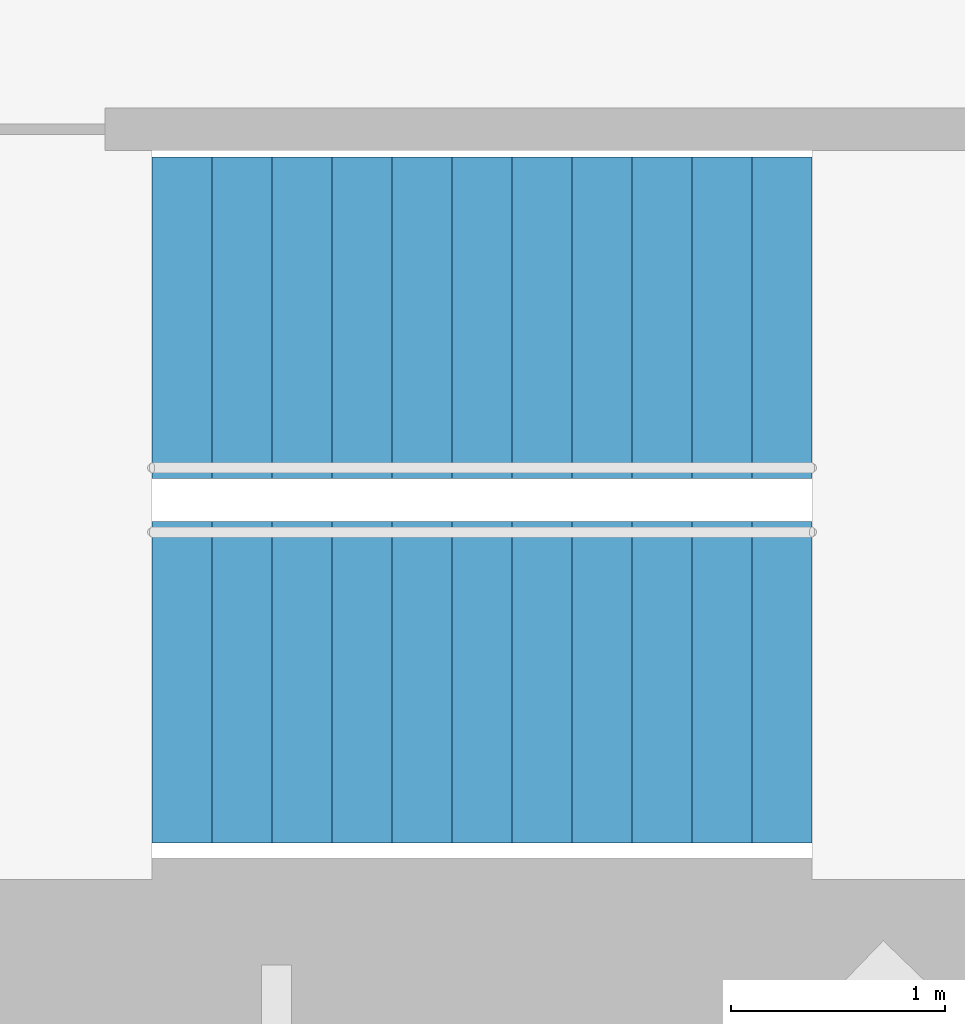
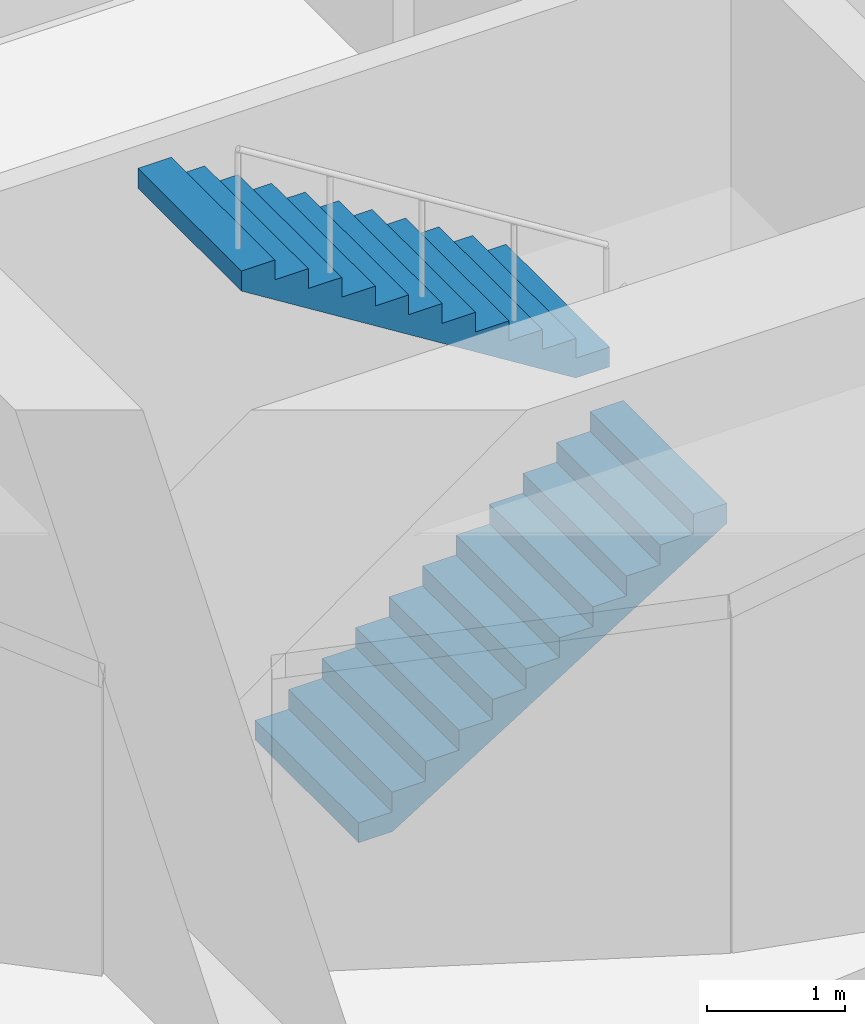
# One storey, part 15 of 17: 2 stair flights, 1 element without a shape of its own.
"""IFC4 building model written with IfcOpenShell, lengths in metres."""

from ifc_helpers import new_model, si_unit, direction, frame, origin, place, context, subcontext, project, spatial, triangles, material, type_object, element, aggregate, save


model = new_model("IFC4")

# Units and contexts
model_context = context("Model", 3, precision=1e-05, world=origin(), true_north=direction((0.0, 1.0)))
body_context = subcontext(model_context, "Body", "Model", "MODEL_VIEW")
ifc_project = project(units=[si_unit("LENGTHUNIT", "METRE"), si_unit("AREAUNIT", "SQUARE_METRE"), si_unit("VOLUMEUNIT", "CUBIC_METRE"), si_unit("PLANEANGLEUNIT", "RADIAN"), si_unit("MASSUNIT", "GRAM", prefix="KILO")], contexts=[model_context])

# Site, building, storey
site_placement = place(None, origin())
site = spatial("IfcSite", under=ifc_project, at=site_placement, CompositionType="ELEMENT")
building_placement = place(site_placement, origin())
building = spatial("IfcBuilding", under=site, at=building_placement, Name="Lantaw Convention Tower", CompositionType="ELEMENT")
storey_placement = place(building_placement, frame((0.0, 0.0, 207.39990234375)))
storey = spatial("IfcBuildingStorey", under=building, at=storey_placement, Name="L48", CompositionType="ELEMENT", Elevation=207.39990234375)

# Stair, stair flights
ifc_material = material(Name="Concrete C35/45", Category="concrete")
stair_type = type_object("IfcStairType", Name="Exit stair 1500 riser 175 in 2 flights", PredefinedType="HALF_TURN_STAIR", material=ifc_material)
stair_placement = place(storey_placement, origin())
stair = element("IfcStair", 1, at=stair_placement, inside=storey, type_object=stair_type, Name="Exit stair S1 L48", PredefinedType="HALF_TURN_STAIR")
stair_flight_type = type_object("IfcStairFlightType", Name="Stair flight 1500 riser 175", PredefinedType="STRAIGHT", material=ifc_material)
stair_flight_1_placement = place(storey_placement, frame((-10.580078125, -5.97998046875, 0.0), z_axis=(0.0, 0.0, 1.0), x_axis=(1.0, 0.0, 0.0)))
stair_flight_1 = element("IfcStairFlight", 2, at=stair_flight_1_placement, type_object=stair_flight_type, Name="S1 flight 1", NumberOfRisers=12, NumberOfTreads=11, PredefinedType="STRAIGHT", RiserHeight=0.175, TreadLength=0.28, context=body_context, shape_type="Tessellation", body=[
    triangles([(0.0, 0.75, 0.0), (0.0, 0.75, 0.175), (0.28, 0.75, 0.0), (0.28, 0.75, 0.175), (0.28, 0.75, 0.35), (0.28283517651771284, 0.75, 0.0), (0.28283517651771284, 0.75, 0.35), (0.56, 0.75, 0.17322801467642948), (0.56, 0.75, 0.35), (0.56, 0.75, 0.5249999999999999), (0.8400000000000001, 0.75, 0.34822801467642944), (0.8400000000000001, 0.75, 0.5249999999999999), (0.8400000000000001, 0.75, 0.7), (1.12, 0.75, 0.5232280146764294), (1.12, 0.75, 0.7), (1.12, 0.75, 0.875), (1.4000000000000001, 0.75, 0.6982280146764295), (1.4000000000000001, 0.75, 0.875), (1.4000000000000001, 0.75, 1.0499999999999998), (1.6800000000000002, 0.75, 0.8732280146764294), (1.6800000000000002, 0.75, 1.0499999999999998), (1.6800000000000002, 0.75, 1.2249999999999999), (1.9600000000000002, 0.75, 1.0482280146764293), (1.9600000000000002, 0.75, 1.2249999999999999), (1.9600000000000002, 0.75, 1.4), (2.24, 0.75, 1.2232280146764294), (2.24, 0.75, 1.4), (2.24, 0.75, 1.575), (2.5200000000000005, 0.75, 1.3982280146764294), (2.5200000000000005, 0.75, 1.575), (2.5200000000000005, 0.75, 1.75), (2.8000000000000003, 0.75, 1.5732280146764293), (2.8000000000000003, 0.75, 1.75), (2.8000000000000003, 0.75, 1.9249999999999998), (3.08, 0.75, 1.7482280146764293), (3.08, 0.75, 1.9249999999999998), (0.0, -0.75, 0.0), (0.0, -0.75, 0.175), (0.28, -0.75, 0.0), (0.28, -0.75, 0.175), (0.28, -0.75, 0.35), (0.28283517651771284, -0.75, 0.0), (0.28283517651771284, -0.75, 0.35), (0.56, -0.75, 0.17322801467642948), (0.56, -0.75, 0.35), (0.56, -0.75, 0.5249999999999999), (0.8400000000000001, -0.75, 0.34822801467642944), (0.8400000000000001, -0.75, 0.5249999999999999), (0.8400000000000001, -0.75, 0.7), (1.12, -0.75, 0.5232280146764294), (1.12, -0.75, 0.7), (1.12, -0.75, 0.875), (1.4000000000000001, -0.75, 0.6982280146764295), (1.4000000000000001, -0.75, 0.875), (1.4000000000000001, -0.75, 1.0499999999999998), (1.6800000000000002, -0.75, 0.8732280146764294), (1.6800000000000002, -0.75, 1.0499999999999998), (1.6800000000000002, -0.75, 1.2249999999999999), (1.9600000000000002, -0.75, 1.0482280146764293), (1.9600000000000002, -0.75, 1.2249999999999999), (1.9600000000000002, -0.75, 1.4), (2.24, -0.75, 1.2232280146764294), (2.24, -0.75, 1.4), (2.24, -0.75, 1.575), (2.5200000000000005, -0.75, 1.3982280146764294), (2.5200000000000005, -0.75, 1.575), (2.5200000000000005, -0.75, 1.75), (2.8000000000000003, -0.75, 1.5732280146764293), (2.8000000000000003, -0.75, 1.75), (2.8000000000000003, -0.75, 1.9249999999999998), (3.08, -0.75, 1.7482280146764293), (3.08, -0.75, 1.9249999999999998), (0.0, 0.15000000000000002, 0.175), (0.0, 0.15000000000000002, 0.0), (0.0, 0.0, 0.175), (0.0, 0.0, 0.0), (0.0, -0.15000000000000002, 0.175), (0.0, -0.15000000000000002, 0.0), (0.28, 0.15000000000000002, 0.35), (0.28, 0.15000000000000002, 0.175), (0.28, 0.0, 0.35), (0.28, 0.0, 0.175), (0.28, -0.15000000000000002, 0.35), (0.28, -0.15000000000000002, 0.175), (0.56, 0.15000000000000002, 0.5249999999999999), (0.56, 0.15000000000000002, 0.35), (0.56, 0.0, 0.5249999999999999), (0.56, 0.0, 0.35), (0.56, -0.15000000000000002, 0.5249999999999999), (0.56, -0.15000000000000002, 0.35), (0.8400000000000001, 0.15000000000000002, 0.7), (0.8400000000000001, 0.15000000000000002, 0.5249999999999999), (0.8400000000000001, 0.0, 0.7), (0.8400000000000001, 0.0, 0.5249999999999999), (0.8400000000000001, -0.15000000000000002, 0.7), (0.8400000000000001, -0.15000000000000002, 0.5249999999999999), (1.12, 0.15000000000000002, 0.875), (1.12, 0.15000000000000002, 0.7), (1.12, 0.0, 0.875), (1.12, 0.0, 0.7), (1.12, -0.15000000000000002, 0.875), (1.12, -0.15000000000000002, 0.7), (1.4000000000000001, 0.15000000000000002, 1.0499999999999998), (1.4000000000000001, 0.15000000000000002, 0.875), (1.4000000000000001, 0.0, 1.0499999999999998), (1.4000000000000001, 0.0, 0.875), (1.4000000000000001, -0.15000000000000002, 1.0499999999999998), (1.4000000000000001, -0.15000000000000002, 0.875), (1.6800000000000002, 0.15000000000000002, 1.2249999999999999), (1.6800000000000002, 0.15000000000000002, 1.0499999999999998), (1.6800000000000002, 0.0, 1.2249999999999999), (1.6800000000000002, 0.0, 1.0499999999999998), (1.6800000000000002, -0.15000000000000002, 1.2249999999999999), (1.6800000000000002, -0.15000000000000002, 1.0499999999999998), (1.9600000000000002, 0.15000000000000002, 1.4), (1.9600000000000002, 0.15000000000000002, 1.2249999999999999), (1.9600000000000002, 0.0, 1.4), (1.9600000000000002, 0.0, 1.2249999999999999), (1.9600000000000002, -0.15000000000000002, 1.4), (1.9600000000000002, -0.15000000000000002, 1.2249999999999999), (2.24, 0.15000000000000002, 1.575), (2.24, 0.15000000000000002, 1.4), (2.24, 0.0, 1.575), (2.24, 0.0, 1.4), (2.24, -0.15000000000000002, 1.575), (2.24, -0.15000000000000002, 1.4), (2.5200000000000005, 0.15000000000000002, 1.75), (2.5200000000000005, 0.15000000000000002, 1.575), (2.5200000000000005, 0.0, 1.75), (2.5200000000000005, 0.0, 1.575), (2.5200000000000005, -0.15000000000000002, 1.75), (2.5200000000000005, -0.15000000000000002, 1.575), (2.8000000000000003, 0.15000000000000002, 1.9249999999999998), (2.8000000000000003, 0.15000000000000002, 1.75), (2.8000000000000003, 0.0, 1.9249999999999998), (2.8000000000000003, 0.0, 1.75), (2.8000000000000003, -0.15000000000000002, 1.9249999999999998), (2.8000000000000003, -0.15000000000000002, 1.75), (0.28283517651771284, 0.15000000000000002, 0.35), (0.28283517651771284, 0.0, 0.35), (0.28283517651771284, -0.15000000000000002, 0.35), (3.08, 0.15000000000000002, 1.9249999999999998), (3.08, 0.0, 1.9249999999999998), (3.08, -0.15000000000000002, 1.9249999999999998), (3.08, 0.15000000000000002, 1.7482280146764293), (3.08, 0.0, 1.7482280146764293), (3.08, -0.15000000000000002, 1.7482280146764293), (2.8000000000000003, 0.15000000000000002, 1.5732280146764293), (2.8000000000000003, 0.0, 1.5732280146764293), (2.8000000000000003, -0.15000000000000002, 1.5732280146764293), (2.5200000000000005, 0.15000000000000002, 1.3982280146764294), (2.5200000000000005, 0.0, 1.3982280146764294), (2.5200000000000005, -0.15000000000000002, 1.3982280146764294), (2.24, 0.15000000000000002, 1.2232280146764294), (2.24, 0.0, 1.2232280146764294), (2.24, -0.15000000000000002, 1.2232280146764294), (1.9600000000000002, 0.15000000000000002, 1.0482280146764293), (1.9600000000000002, 0.0, 1.0482280146764293), (1.9600000000000002, -0.15000000000000002, 1.0482280146764293), (1.6800000000000002, 0.15000000000000002, 0.8732280146764294), (1.6800000000000002, 0.0, 0.8732280146764294), (1.6800000000000002, -0.15000000000000002, 0.8732280146764294), (1.4000000000000001, 0.15000000000000002, 0.6982280146764295), (1.4000000000000001, 0.0, 0.6982280146764295), (1.4000000000000001, -0.15000000000000002, 0.6982280146764295), (1.12, 0.15000000000000002, 0.5232280146764294), (1.12, 0.0, 0.5232280146764294), (1.12, -0.15000000000000002, 0.5232280146764294), (0.8400000000000001, 0.15000000000000002, 0.34822801467642944), (0.8400000000000001, 0.0, 0.34822801467642944), (0.8400000000000001, -0.15000000000000002, 0.34822801467642944), (0.56, 0.15000000000000002, 0.17322801467642948), (0.56, 0.0, 0.17322801467642948), (0.56, -0.15000000000000002, 0.17322801467642948), (0.28283517651771284, 0.15000000000000002, 0.0), (0.28283517651771284, 0.0, 0.0), (0.28283517651771284, -0.15000000000000002, 0.0), (0.28, 0.15000000000000002, 0.0), (0.28, 0.0, 0.0), (0.28, -0.15000000000000002, 0.0)], [[1, 4, 3], [1, 2, 4], [3, 4, 6], [4, 7, 6], [4, 5, 7], [6, 9, 8], [6, 7, 9], [8, 9, 11], [9, 12, 11], [9, 10, 12], [11, 12, 14], [12, 15, 14], [12, 13, 15], [14, 15, 17], [15, 18, 17], [15, 16, 18], [17, 18, 20], [18, 21, 20], [18, 19, 21], [20, 21, 23], [21, 24, 23], [21, 22, 24], [23, 24, 26], [24, 27, 26], [24, 25, 27], [26, 27, 29], [27, 30, 29], [27, 28, 30], [29, 30, 32], [30, 33, 32], [30, 31, 33], [32, 33, 35], [33, 36, 35], [33, 34, 36], [37, 39, 40], [37, 40, 38], [39, 42, 40], [40, 42, 43], [40, 43, 41], [42, 44, 45], [42, 45, 43], [44, 47, 45], [45, 47, 48], [45, 48, 46], [47, 50, 48], [48, 50, 51], [48, 51, 49], [50, 53, 51], [51, 53, 54], [51, 54, 52], [53, 56, 54], [54, 56, 57], [54, 57, 55], [56, 59, 57], [57, 59, 60], [57, 60, 58], [59, 62, 60], [60, 62, 63], [60, 63, 61], [62, 65, 63], [63, 65, 66], [63, 66, 64], [65, 68, 66], [66, 68, 69], [66, 69, 67], [68, 71, 69], [69, 71, 72], [69, 72, 70], [1, 73, 2], [1, 74, 73], [74, 75, 73], [74, 76, 75], [76, 77, 75], [76, 78, 77], [78, 38, 77], [78, 37, 38], [4, 79, 5], [4, 80, 79], [80, 81, 79], [80, 82, 81], [82, 83, 81], [82, 84, 83], [84, 41, 83], [84, 40, 41], [9, 85, 10], [9, 86, 85], [86, 87, 85], [86, 88, 87], [88, 89, 87], [88, 90, 89], [90, 46, 89], [90, 45, 46], [12, 91, 13], [12, 92, 91], [92, 93, 91], [92, 94, 93], [94, 95, 93], [94, 96, 95], [96, 49, 95], [96, 48, 49], [15, 97, 16], [15, 98, 97], [98, 99, 97], [98, 100, 99], [100, 101, 99], [100, 102, 101], [102, 52, 101], [102, 51, 52], [18, 103, 19], [18, 104, 103], [104, 105, 103], [104, 106, 105], [106, 107, 105], [106, 108, 107], [108, 55, 107], [108, 54, 55], [21, 109, 22], [21, 110, 109], [110, 111, 109], [110, 112, 111], [112, 113, 111], [112, 114, 113], [114, 58, 113], [114, 57, 58], [24, 115, 25], [24, 116, 115], [116, 117, 115], [116, 118, 117], [118, 119, 117], [118, 120, 119], [120, 61, 119], [120, 60, 61], [27, 121, 28], [27, 122, 121], [122, 123, 121], [122, 124, 123], [124, 125, 123], [124, 126, 125], [126, 64, 125], [126, 63, 64], [30, 127, 31], [30, 128, 127], [128, 129, 127], [128, 130, 129], [130, 131, 129], [130, 132, 131], [132, 67, 131], [132, 66, 67], [33, 133, 34], [33, 134, 133], [134, 135, 133], [134, 136, 135], [136, 137, 135], [136, 138, 137], [138, 70, 137], [138, 69, 70], [2, 80, 4], [2, 73, 80], [73, 82, 80], [73, 75, 82], [75, 84, 82], [75, 77, 84], [77, 40, 84], [77, 38, 40], [5, 139, 7], [5, 79, 139], [79, 140, 139], [79, 81, 140], [81, 141, 140], [81, 83, 141], [83, 43, 141], [83, 41, 43], [7, 86, 9], [7, 139, 86], [139, 88, 86], [139, 140, 88], [140, 90, 88], [140, 141, 90], [141, 45, 90], [141, 43, 45], [10, 92, 12], [10, 85, 92], [85, 94, 92], [85, 87, 94], [87, 96, 94], [87, 89, 96], [89, 48, 96], [89, 46, 48], [13, 98, 15], [13, 91, 98], [91, 100, 98], [91, 93, 100], [93, 102, 100], [93, 95, 102], [95, 51, 102], [95, 49, 51], [16, 104, 18], [16, 97, 104], [97, 106, 104], [97, 99, 106], [99, 108, 106], [99, 101, 108], [101, 54, 108], [101, 52, 54], [19, 110, 21], [19, 103, 110], [103, 112, 110], [103, 105, 112], [105, 114, 112], [105, 107, 114], [107, 57, 114], [107, 55, 57], [22, 116, 24], [22, 109, 116], [109, 118, 116], [109, 111, 118], [111, 120, 118], [111, 113, 120], [113, 60, 120], [113, 58, 60], [25, 122, 27], [25, 115, 122], [115, 124, 122], [115, 117, 124], [117, 126, 124], [117, 119, 126], [119, 63, 126], [119, 61, 63], [28, 128, 30], [28, 121, 128], [121, 130, 128], [121, 123, 130], [123, 132, 130], [123, 125, 132], [125, 66, 132], [125, 64, 66], [31, 134, 33], [31, 127, 134], [127, 136, 134], [127, 129, 136], [129, 138, 136], [129, 131, 138], [131, 69, 138], [131, 67, 69], [34, 142, 36], [34, 133, 142], [133, 143, 142], [133, 135, 143], [135, 144, 143], [135, 137, 144], [137, 72, 144], [137, 70, 72], [36, 145, 35], [36, 142, 145], [142, 146, 145], [142, 143, 146], [143, 147, 146], [143, 144, 147], [144, 71, 147], [144, 72, 71], [35, 148, 32], [35, 145, 148], [145, 149, 148], [145, 146, 149], [146, 150, 149], [146, 147, 150], [147, 68, 150], [147, 71, 68], [32, 151, 29], [32, 148, 151], [148, 152, 151], [148, 149, 152], [149, 153, 152], [149, 150, 153], [150, 65, 153], [150, 68, 65], [29, 154, 26], [29, 151, 154], [151, 155, 154], [151, 152, 155], [152, 156, 155], [152, 153, 156], [153, 62, 156], [153, 65, 62], [26, 157, 23], [26, 154, 157], [154, 158, 157], [154, 155, 158], [155, 159, 158], [155, 156, 159], [156, 59, 159], [156, 62, 59], [23, 160, 20], [23, 157, 160], [157, 161, 160], [157, 158, 161], [158, 162, 161], [158, 159, 162], [159, 56, 162], [159, 59, 56], [20, 163, 17], [20, 160, 163], [160, 164, 163], [160, 161, 164], [161, 165, 164], [161, 162, 165], [162, 53, 165], [162, 56, 53], [17, 166, 14], [17, 163, 166], [163, 167, 166], [163, 164, 167], [164, 168, 167], [164, 165, 168], [165, 50, 168], [165, 53, 50], [14, 169, 11], [14, 166, 169], [166, 170, 169], [166, 167, 170], [167, 171, 170], [167, 168, 171], [168, 47, 171], [168, 50, 47], [11, 172, 8], [11, 169, 172], [169, 173, 172], [169, 170, 173], [170, 174, 173], [170, 171, 174], [171, 44, 174], [171, 47, 44], [8, 175, 6], [8, 172, 175], [172, 176, 175], [172, 173, 176], [173, 177, 176], [173, 174, 177], [174, 42, 177], [174, 44, 42], [6, 178, 3], [6, 175, 178], [175, 179, 178], [175, 176, 179], [176, 180, 179], [176, 177, 180], [177, 39, 180], [177, 42, 39], [3, 74, 1], [3, 178, 74], [178, 76, 74], [178, 179, 76], [179, 78, 76], [179, 180, 78], [180, 37, 78], [180, 39, 37]], closed=True),
])
stair_flight_2_placement = place(storey_placement, frame((-7.5, -4.280029296875, 2.10009765625), z_axis=(0.0, 0.0, 1.0), x_axis=(-1.0, 0.0, 0.0)))
stair_flight_2 = element("IfcStairFlight", 3, at=stair_flight_2_placement, type_object=stair_flight_type, Name="S1 flight 2", NumberOfRisers=12, NumberOfTreads=11, PredefinedType="STRAIGHT", RiserHeight=0.175, TreadLength=0.28, context=body_context, shape_type="Tessellation", body=[
    triangles([(0.0, 0.75, 0.0), (0.0, 0.75, 0.175), (0.28, 0.75, 0.0), (0.28, 0.75, 0.175), (0.28, 0.75, 0.35), (0.28283517651771284, 0.75, 0.0), (0.28283517651771284, 0.75, 0.35), (0.56, 0.75, 0.17322801467642948), (0.56, 0.75, 0.35), (0.56, 0.75, 0.5249999999999999), (0.8400000000000001, 0.75, 0.34822801467642944), (0.8400000000000001, 0.75, 0.5249999999999999), (0.8400000000000001, 0.75, 0.7), (1.12, 0.75, 0.5232280146764294), (1.12, 0.75, 0.7), (1.12, 0.75, 0.875), (1.4000000000000001, 0.75, 0.6982280146764295), (1.4000000000000001, 0.75, 0.875), (1.4000000000000001, 0.75, 1.0499999999999998), (1.6800000000000002, 0.75, 0.8732280146764294), (1.6800000000000002, 0.75, 1.0499999999999998), (1.6800000000000002, 0.75, 1.2249999999999999), (1.9600000000000002, 0.75, 1.0482280146764293), (1.9600000000000002, 0.75, 1.2249999999999999), (1.9600000000000002, 0.75, 1.4), (2.24, 0.75, 1.2232280146764294), (2.24, 0.75, 1.4), (2.24, 0.75, 1.575), (2.5200000000000005, 0.75, 1.3982280146764294), (2.5200000000000005, 0.75, 1.575), (2.5200000000000005, 0.75, 1.75), (2.8000000000000003, 0.75, 1.5732280146764293), (2.8000000000000003, 0.75, 1.75), (2.8000000000000003, 0.75, 1.9249999999999998), (3.08, 0.75, 1.7482280146764293), (3.08, 0.75, 1.9249999999999998), (0.0, -0.75, 0.0), (0.0, -0.75, 0.175), (0.28, -0.75, 0.0), (0.28, -0.75, 0.175), (0.28, -0.75, 0.35), (0.28283517651771284, -0.75, 0.0), (0.28283517651771284, -0.75, 0.35), (0.56, -0.75, 0.17322801467642948), (0.56, -0.75, 0.35), (0.56, -0.75, 0.5249999999999999), (0.8400000000000001, -0.75, 0.34822801467642944), (0.8400000000000001, -0.75, 0.5249999999999999), (0.8400000000000001, -0.75, 0.7), (1.12, -0.75, 0.5232280146764294), (1.12, -0.75, 0.7), (1.12, -0.75, 0.875), (1.4000000000000001, -0.75, 0.6982280146764295), (1.4000000000000001, -0.75, 0.875), (1.4000000000000001, -0.75, 1.0499999999999998), (1.6800000000000002, -0.75, 0.8732280146764294), (1.6800000000000002, -0.75, 1.0499999999999998), (1.6800000000000002, -0.75, 1.2249999999999999), (1.9600000000000002, -0.75, 1.0482280146764293), (1.9600000000000002, -0.75, 1.2249999999999999), (1.9600000000000002, -0.75, 1.4), (2.24, -0.75, 1.2232280146764294), (2.24, -0.75, 1.4), (2.24, -0.75, 1.575), (2.5200000000000005, -0.75, 1.3982280146764294), (2.5200000000000005, -0.75, 1.575), (2.5200000000000005, -0.75, 1.75), (2.8000000000000003, -0.75, 1.5732280146764293), (2.8000000000000003, -0.75, 1.75), (2.8000000000000003, -0.75, 1.9249999999999998), (3.08, -0.75, 1.7482280146764293), (3.08, -0.75, 1.9249999999999998), (0.0, 0.15000000000000002, 0.175), (0.0, 0.15000000000000002, 0.0), (0.0, 0.0, 0.175), (0.0, 0.0, 0.0), (0.0, -0.15000000000000002, 0.175), (0.0, -0.15000000000000002, 0.0), (0.28, 0.15000000000000002, 0.35), (0.28, 0.15000000000000002, 0.175), (0.28, 0.0, 0.35), (0.28, 0.0, 0.175), (0.28, -0.15000000000000002, 0.35), (0.28, -0.15000000000000002, 0.175), (0.56, 0.15000000000000002, 0.5249999999999999), (0.56, 0.15000000000000002, 0.35), (0.56, 0.0, 0.5249999999999999), (0.56, 0.0, 0.35), (0.56, -0.15000000000000002, 0.5249999999999999), (0.56, -0.15000000000000002, 0.35), (0.8400000000000001, 0.15000000000000002, 0.7), (0.8400000000000001, 0.15000000000000002, 0.5249999999999999), (0.8400000000000001, 0.0, 0.7), (0.8400000000000001, 0.0, 0.5249999999999999), (0.8400000000000001, -0.15000000000000002, 0.7), (0.8400000000000001, -0.15000000000000002, 0.5249999999999999), (1.12, 0.15000000000000002, 0.875), (1.12, 0.15000000000000002, 0.7), (1.12, 0.0, 0.875), (1.12, 0.0, 0.7), (1.12, -0.15000000000000002, 0.875), (1.12, -0.15000000000000002, 0.7), (1.4000000000000001, 0.15000000000000002, 1.0499999999999998), (1.4000000000000001, 0.15000000000000002, 0.875), (1.4000000000000001, 0.0, 1.0499999999999998), (1.4000000000000001, 0.0, 0.875), (1.4000000000000001, -0.15000000000000002, 1.0499999999999998), (1.4000000000000001, -0.15000000000000002, 0.875), (1.6800000000000002, 0.15000000000000002, 1.2249999999999999), (1.6800000000000002, 0.15000000000000002, 1.0499999999999998), (1.6800000000000002, 0.0, 1.2249999999999999), (1.6800000000000002, 0.0, 1.0499999999999998), (1.6800000000000002, -0.15000000000000002, 1.2249999999999999), (1.6800000000000002, -0.15000000000000002, 1.0499999999999998), (1.9600000000000002, 0.15000000000000002, 1.4), (1.9600000000000002, 0.15000000000000002, 1.2249999999999999), (1.9600000000000002, 0.0, 1.4), (1.9600000000000002, 0.0, 1.2249999999999999), (1.9600000000000002, -0.15000000000000002, 1.4), (1.9600000000000002, -0.15000000000000002, 1.2249999999999999), (2.24, 0.15000000000000002, 1.575), (2.24, 0.15000000000000002, 1.4), (2.24, 0.0, 1.575), (2.24, 0.0, 1.4), (2.24, -0.15000000000000002, 1.575), (2.24, -0.15000000000000002, 1.4), (2.5200000000000005, 0.15000000000000002, 1.75), (2.5200000000000005, 0.15000000000000002, 1.575), (2.5200000000000005, 0.0, 1.75), (2.5200000000000005, 0.0, 1.575), (2.5200000000000005, -0.15000000000000002, 1.75), (2.5200000000000005, -0.15000000000000002, 1.575), (2.8000000000000003, 0.15000000000000002, 1.9249999999999998), (2.8000000000000003, 0.15000000000000002, 1.75), (2.8000000000000003, 0.0, 1.9249999999999998), (2.8000000000000003, 0.0, 1.75), (2.8000000000000003, -0.15000000000000002, 1.9249999999999998), (2.8000000000000003, -0.15000000000000002, 1.75), (0.28283517651771284, 0.15000000000000002, 0.35), (0.28283517651771284, 0.0, 0.35), (0.28283517651771284, -0.15000000000000002, 0.35), (3.08, 0.15000000000000002, 1.9249999999999998), (3.08, 0.0, 1.9249999999999998), (3.08, -0.15000000000000002, 1.9249999999999998), (3.08, 0.15000000000000002, 1.7482280146764293), (3.08, 0.0, 1.7482280146764293), (3.08, -0.15000000000000002, 1.7482280146764293), (2.8000000000000003, 0.15000000000000002, 1.5732280146764293), (2.8000000000000003, 0.0, 1.5732280146764293), (2.8000000000000003, -0.15000000000000002, 1.5732280146764293), (2.5200000000000005, 0.15000000000000002, 1.3982280146764294), (2.5200000000000005, 0.0, 1.3982280146764294), (2.5200000000000005, -0.15000000000000002, 1.3982280146764294), (2.24, 0.15000000000000002, 1.2232280146764294), (2.24, 0.0, 1.2232280146764294), (2.24, -0.15000000000000002, 1.2232280146764294), (1.9600000000000002, 0.15000000000000002, 1.0482280146764293), (1.9600000000000002, 0.0, 1.0482280146764293), (1.9600000000000002, -0.15000000000000002, 1.0482280146764293), (1.6800000000000002, 0.15000000000000002, 0.8732280146764294), (1.6800000000000002, 0.0, 0.8732280146764294), (1.6800000000000002, -0.15000000000000002, 0.8732280146764294), (1.4000000000000001, 0.15000000000000002, 0.6982280146764295), (1.4000000000000001, 0.0, 0.6982280146764295), (1.4000000000000001, -0.15000000000000002, 0.6982280146764295), (1.12, 0.15000000000000002, 0.5232280146764294), (1.12, 0.0, 0.5232280146764294), (1.12, -0.15000000000000002, 0.5232280146764294), (0.8400000000000001, 0.15000000000000002, 0.34822801467642944), (0.8400000000000001, 0.0, 0.34822801467642944), (0.8400000000000001, -0.15000000000000002, 0.34822801467642944), (0.56, 0.15000000000000002, 0.17322801467642948), (0.56, 0.0, 0.17322801467642948), (0.56, -0.15000000000000002, 0.17322801467642948), (0.28283517651771284, 0.15000000000000002, 0.0), (0.28283517651771284, 0.0, 0.0), (0.28283517651771284, -0.15000000000000002, 0.0), (0.28, 0.15000000000000002, 0.0), (0.28, 0.0, 0.0), (0.28, -0.15000000000000002, 0.0)], [[1, 4, 3], [1, 2, 4], [3, 4, 6], [4, 7, 6], [4, 5, 7], [6, 9, 8], [6, 7, 9], [8, 9, 11], [9, 12, 11], [9, 10, 12], [11, 12, 14], [12, 15, 14], [12, 13, 15], [14, 15, 17], [15, 18, 17], [15, 16, 18], [17, 18, 20], [18, 21, 20], [18, 19, 21], [20, 21, 23], [21, 24, 23], [21, 22, 24], [23, 24, 26], [24, 27, 26], [24, 25, 27], [26, 27, 29], [27, 30, 29], [27, 28, 30], [29, 30, 32], [30, 33, 32], [30, 31, 33], [32, 33, 35], [33, 36, 35], [33, 34, 36], [37, 39, 40], [37, 40, 38], [39, 42, 40], [40, 42, 43], [40, 43, 41], [42, 44, 45], [42, 45, 43], [44, 47, 45], [45, 47, 48], [45, 48, 46], [47, 50, 48], [48, 50, 51], [48, 51, 49], [50, 53, 51], [51, 53, 54], [51, 54, 52], [53, 56, 54], [54, 56, 57], [54, 57, 55], [56, 59, 57], [57, 59, 60], [57, 60, 58], [59, 62, 60], [60, 62, 63], [60, 63, 61], [62, 65, 63], [63, 65, 66], [63, 66, 64], [65, 68, 66], [66, 68, 69], [66, 69, 67], [68, 71, 69], [69, 71, 72], [69, 72, 70], [1, 73, 2], [1, 74, 73], [74, 75, 73], [74, 76, 75], [76, 77, 75], [76, 78, 77], [78, 38, 77], [78, 37, 38], [4, 79, 5], [4, 80, 79], [80, 81, 79], [80, 82, 81], [82, 83, 81], [82, 84, 83], [84, 41, 83], [84, 40, 41], [9, 85, 10], [9, 86, 85], [86, 87, 85], [86, 88, 87], [88, 89, 87], [88, 90, 89], [90, 46, 89], [90, 45, 46], [12, 91, 13], [12, 92, 91], [92, 93, 91], [92, 94, 93], [94, 95, 93], [94, 96, 95], [96, 49, 95], [96, 48, 49], [15, 97, 16], [15, 98, 97], [98, 99, 97], [98, 100, 99], [100, 101, 99], [100, 102, 101], [102, 52, 101], [102, 51, 52], [18, 103, 19], [18, 104, 103], [104, 105, 103], [104, 106, 105], [106, 107, 105], [106, 108, 107], [108, 55, 107], [108, 54, 55], [21, 109, 22], [21, 110, 109], [110, 111, 109], [110, 112, 111], [112, 113, 111], [112, 114, 113], [114, 58, 113], [114, 57, 58], [24, 115, 25], [24, 116, 115], [116, 117, 115], [116, 118, 117], [118, 119, 117], [118, 120, 119], [120, 61, 119], [120, 60, 61], [27, 121, 28], [27, 122, 121], [122, 123, 121], [122, 124, 123], [124, 125, 123], [124, 126, 125], [126, 64, 125], [126, 63, 64], [30, 127, 31], [30, 128, 127], [128, 129, 127], [128, 130, 129], [130, 131, 129], [130, 132, 131], [132, 67, 131], [132, 66, 67], [33, 133, 34], [33, 134, 133], [134, 135, 133], [134, 136, 135], [136, 137, 135], [136, 138, 137], [138, 70, 137], [138, 69, 70], [2, 80, 4], [2, 73, 80], [73, 82, 80], [73, 75, 82], [75, 84, 82], [75, 77, 84], [77, 40, 84], [77, 38, 40], [5, 139, 7], [5, 79, 139], [79, 140, 139], [79, 81, 140], [81, 141, 140], [81, 83, 141], [83, 43, 141], [83, 41, 43], [7, 86, 9], [7, 139, 86], [139, 88, 86], [139, 140, 88], [140, 90, 88], [140, 141, 90], [141, 45, 90], [141, 43, 45], [10, 92, 12], [10, 85, 92], [85, 94, 92], [85, 87, 94], [87, 96, 94], [87, 89, 96], [89, 48, 96], [89, 46, 48], [13, 98, 15], [13, 91, 98], [91, 100, 98], [91, 93, 100], [93, 102, 100], [93, 95, 102], [95, 51, 102], [95, 49, 51], [16, 104, 18], [16, 97, 104], [97, 106, 104], [97, 99, 106], [99, 108, 106], [99, 101, 108], [101, 54, 108], [101, 52, 54], [19, 110, 21], [19, 103, 110], [103, 112, 110], [103, 105, 112], [105, 114, 112], [105, 107, 114], [107, 57, 114], [107, 55, 57], [22, 116, 24], [22, 109, 116], [109, 118, 116], [109, 111, 118], [111, 120, 118], [111, 113, 120], [113, 60, 120], [113, 58, 60], [25, 122, 27], [25, 115, 122], [115, 124, 122], [115, 117, 124], [117, 126, 124], [117, 119, 126], [119, 63, 126], [119, 61, 63], [28, 128, 30], [28, 121, 128], [121, 130, 128], [121, 123, 130], [123, 132, 130], [123, 125, 132], [125, 66, 132], [125, 64, 66], [31, 134, 33], [31, 127, 134], [127, 136, 134], [127, 129, 136], [129, 138, 136], [129, 131, 138], [131, 69, 138], [131, 67, 69], [34, 142, 36], [34, 133, 142], [133, 143, 142], [133, 135, 143], [135, 144, 143], [135, 137, 144], [137, 72, 144], [137, 70, 72], [36, 145, 35], [36, 142, 145], [142, 146, 145], [142, 143, 146], [143, 147, 146], [143, 144, 147], [144, 71, 147], [144, 72, 71], [35, 148, 32], [35, 145, 148], [145, 149, 148], [145, 146, 149], [146, 150, 149], [146, 147, 150], [147, 68, 150], [147, 71, 68], [32, 151, 29], [32, 148, 151], [148, 152, 151], [148, 149, 152], [149, 153, 152], [149, 150, 153], [150, 65, 153], [150, 68, 65], [29, 154, 26], [29, 151, 154], [151, 155, 154], [151, 152, 155], [152, 156, 155], [152, 153, 156], [153, 62, 156], [153, 65, 62], [26, 157, 23], [26, 154, 157], [154, 158, 157], [154, 155, 158], [155, 159, 158], [155, 156, 159], [156, 59, 159], [156, 62, 59], [23, 160, 20], [23, 157, 160], [157, 161, 160], [157, 158, 161], [158, 162, 161], [158, 159, 162], [159, 56, 162], [159, 59, 56], [20, 163, 17], [20, 160, 163], [160, 164, 163], [160, 161, 164], [161, 165, 164], [161, 162, 165], [162, 53, 165], [162, 56, 53], [17, 166, 14], [17, 163, 166], [163, 167, 166], [163, 164, 167], [164, 168, 167], [164, 165, 168], [165, 50, 168], [165, 53, 50], [14, 169, 11], [14, 166, 169], [166, 170, 169], [166, 167, 170], [167, 171, 170], [167, 168, 171], [168, 47, 171], [168, 50, 47], [11, 172, 8], [11, 169, 172], [169, 173, 172], [169, 170, 173], [170, 174, 173], [170, 171, 174], [171, 44, 174], [171, 47, 44], [8, 175, 6], [8, 172, 175], [172, 176, 175], [172, 173, 176], [173, 177, 176], [173, 174, 177], [174, 42, 177], [174, 44, 42], [6, 178, 3], [6, 175, 178], [175, 179, 178], [175, 176, 179], [176, 180, 179], [176, 177, 180], [177, 39, 180], [177, 42, 39], [3, 74, 1], [3, 178, 74], [178, 76, 74], [178, 179, 76], [179, 78, 76], [179, 180, 78], [180, 37, 78], [180, 39, 37]], closed=True),
])
aggregate(stair, [stair_flight_1, stair_flight_2])

save(model, "model.ifc")
